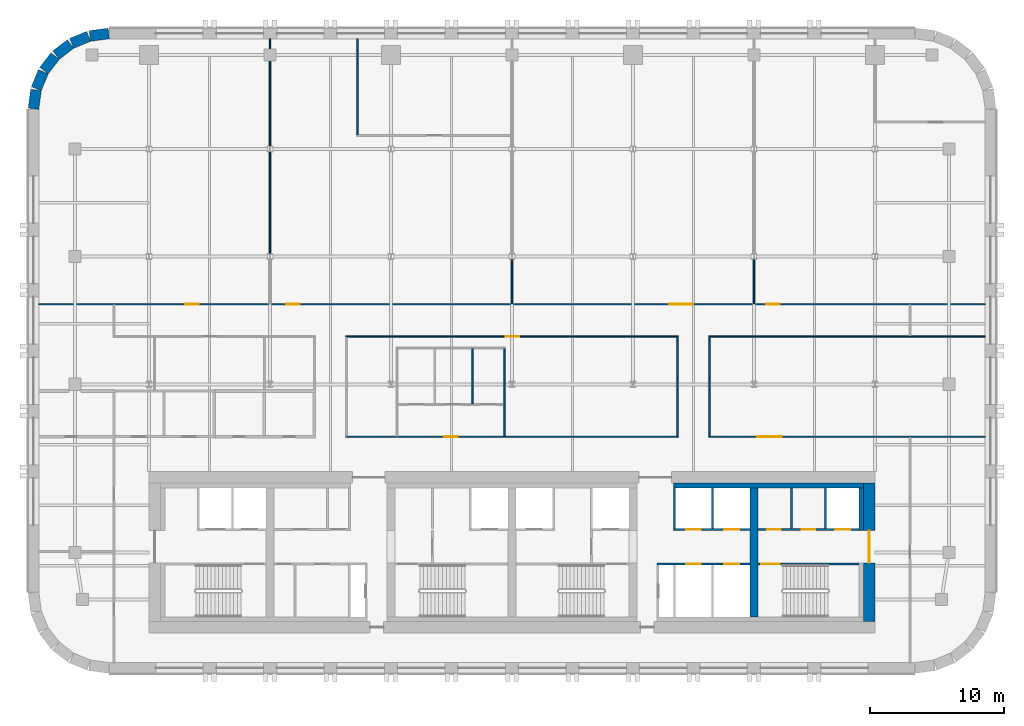
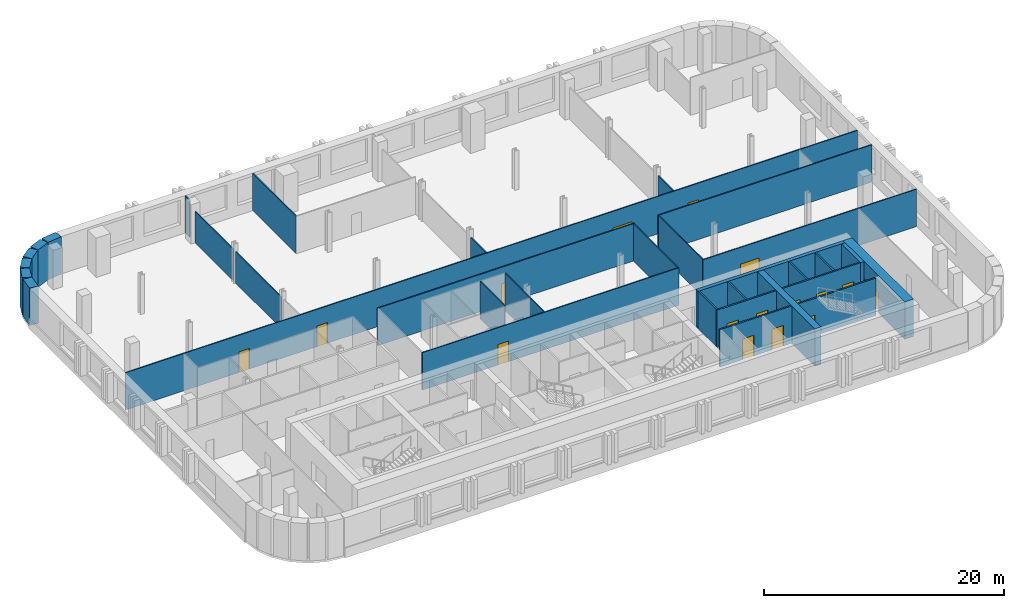
# One storey, part 6 of 10: 33 walls, 16 doors, 16 openings.
"""IFC4 building model written with IfcOpenShell, lengths in metres."""

from ifc_helpers import new_model, si_unit, direction, frame, frame_2d, origin, place, context, subcontext, project, spatial, rectangle, extrude, material, layer, layer_set, type_object, element, fill, save


model = new_model("IFC4")

# Units and contexts
model_context = context("Model", 3, precision=1e-05, world=origin(), true_north=direction((0.0, 1.0)))
body_context = subcontext(model_context, "Body", "Model", "MODEL_VIEW")
ifc_project = project(units=[si_unit("LENGTHUNIT", "METRE"), si_unit("AREAUNIT", "SQUARE_METRE"), si_unit("VOLUMEUNIT", "CUBIC_METRE"), si_unit("PLANEANGLEUNIT", "RADIAN"), si_unit("MASSUNIT", "GRAM", prefix="KILO")], contexts=[model_context])

# Site, building, storey
site_placement = place(None, origin())
site = spatial("IfcSite", under=ifc_project, at=site_placement, CompositionType="ELEMENT")
building_placement = place(site_placement, origin())
building = spatial("IfcBuilding", under=site, at=building_placement, Name="Zellij Exchange Tower", CompositionType="ELEMENT")
storey_placement = place(building_placement, frame((0.0, 0.0, 192.5)))
storey = spatial("IfcBuildingStorey", under=building, at=storey_placement, Name="L44", CompositionType="ELEMENT", Elevation=192.5)

# Walls
ifc_material_1 = material(Name="Concrete C60/75", Category="concrete")
ifc_layer_1 = layer(ifc_material_1, 0.60009765625)
ifc_layer_set_1 = layer_set([ifc_layer_1], Name="Concrete C60/75")
wall_type_1 = type_object("IfcWallType", Name="CORE-CW 600 C60/75", PredefinedType="SHEAR", material=ifc_layer_set_1)
wall_1_placement = place(storey_placement, frame((18.0, -12.800048828125, 0.0), z_axis=(0.0, 0.0, 1.0), x_axis=(0.0, 1.0, 0.0)))
element("IfcWall", 1, at=wall_1_placement, inside=storey, type_object=wall_type_1, Name="Core cross wall x 18 L44", PredefinedType="SHEAR", context=body_context, shape_type="SweptSolid", body=[
    extrude(rectangle(XDim=9.60009765625, YDim=0.60009765625, at=frame_2d((4.800048828125, 0.0))), origin(), (0.0, 0.0, 1.0), 3.800048828125),
])
ifc_material_2 = material(Name="Concrete C30/37", Category="concrete")
ifc_layer_2 = layer(ifc_material_2, 0.35009765625)
ifc_layer_set_2 = layer_set([ifc_layer_2], Name="Concrete C30/37")
wall_type_2 = type_object("IfcWallType", Name="CORE-LW 350 C30/37", PredefinedType="SHEAR", material=ifc_layer_set_2)
wall_2_placement = place(storey_placement, frame((12.0, -3.02490234375, 0.0), z_axis=(0.0, 0.0, 1.0), x_axis=(1.0, 0.0, 0.0)))
element("IfcWall", 2, at=wall_2_placement, inside=storey, type_object=wall_type_2, Name="Core wall lining front.2 L44", PredefinedType="SHEAR", context=body_context, shape_type="SweptSolid", body=[
    extrude(rectangle(XDim=14.14990234375, YDim=0.35009765625, at=frame_2d((7.074951171875, 0.0))), origin(), (0.0, 0.0, 1.0), 3.800048828125),
])
wall_3_placement = place(storey_placement, frame((25.97509765625, -6.375, 0.0), z_axis=(0.0, 0.0, 1.0), x_axis=(0.0, 1.0, 0.0)))
element("IfcWall", 3, at=wall_3_placement, inside=storey, type_object=wall_type_2, Name="Core wall lining end e.1 L44", PredefinedType="SHEAR", context=body_context, shape_type="SweptSolid", body=[
    extrude(rectangle(XDim=3.175048828125, YDim=0.35009765625, at=frame_2d((1.58740234375, 0.0))), origin(), (0.0, 0.0, 1.0), 3.800048828125),
])
ifc_material_3 = material(Name="Gypsum board partition")
ifc_layer_3 = layer(ifc_material_3, 0.14990234375)
ifc_layer_set_3 = layer_set([ifc_layer_3], Name="Gypsum board partition")
wall_type_3 = type_object("IfcWallType", Name="CORE-PW 150 Lift lobby wall", PredefinedType="PARTITIONING", material=ifc_layer_set_3)
wall_4_placement = place(storey_placement, frame((20.77490234375, -6.22509765625, 0.0), z_axis=(0.0, 0.0, 1.0), x_axis=(0.0, 1.0, 0.0)))
element("IfcWall", 4, at=wall_4_placement, inside=storey, type_object=wall_type_3, Name="Lift lobby wall L44", PredefinedType="PARTITIONING", context=body_context, shape_type="SweptSolid", body=[
    extrude(rectangle(XDim=3.025146484375, YDim=0.14990234375, at=frame_2d((1.5126953125, 0.0))), origin(), (0.0, 0.0, 1.0), 3.800048828125),
])
ifc_material_4 = material(Name="Gypsum shaft wall system")
ifc_layer_4 = layer(ifc_material_4, 0.14990234375)
ifc_layer_set_4 = layer_set([ifc_layer_4], Name="Gypsum shaft wall system")
wall_type_4 = type_object("IfcWallType", Name="CORE-PW 150 Lift shaft wall", PredefinedType="PARTITIONING", material=ifc_layer_set_4)
for number, where, z_axis, x_axis, name in (
    (5, (12.074951171875, -6.22509765625, 0.0), (0.0, 0.0, 1.0), (0.0, 1.0, 0.0), "Lift shaft wall L44"),
    (6, (14.925048828125, -6.22509765625, 0.0), (0.0, 0.0, 1.0), (0.0, 1.0, 0.0), "Lift shaft wall L44"),
    (7, (23.324951171875, -6.22509765625, 0.0), (0.0, 0.0, 1.0), (0.0, 1.0, 0.0), "Lift shaft wall L44"),
):
    element("IfcWall", number, at=place(storey_placement, frame(where, z_axis=z_axis, x_axis=x_axis)), inside=storey, type_object=wall_type_4, Name=name, PredefinedType="PARTITIONING", context=body_context, shape_type="SweptSolid", body=[
        extrude(rectangle(XDim=3.025146484375, YDim=0.14990234375, at=frame_2d((1.5126953125, 0.0))), origin(), (0.0, 0.0, 1.0), 3.800048828125),
    ])

# Wall, openings, doors
wall_5_placement = place(storey_placement, frame((12.0, -6.300048828125, 0.0), z_axis=(0.0, 0.0, 1.0), x_axis=(1.0, 0.0, 0.0)))
wall_5 = element("IfcWall", 8, at=wall_5_placement, inside=storey, type_object=wall_type_4, Name="Lift shaft wall L44", PredefinedType="PARTITIONING", context=body_context, shape_type="SweptSolid", body=[
    extrude(rectangle(XDim=5.699951171875, YDim=0.14990234375, at=frame_2d((2.85009765625, 0.0))), origin(), (0.0, 0.0, 1.0), 3.800048828125),
])
opening_1_placement = place(wall_5_placement, frame((0.949951171875, 0.0, 0.0)))
opening_1 = element("IfcOpeningElement", 9, at=opening_1_placement, cuts=wall_5, Name="Opening CA-23.23", PredefinedType="OPENING", context=body_context, shape_type="SweptSolid", body=[
    extrude(rectangle(XDim=1.10009765625, YDim=2.10009765625, at=frame_2d((0.550048828125, 1.050048828125))), frame((0.0, 0.0869140625, 0.0), z_axis=(0.0, -1.0, 0.0), x_axis=(1.0, 0.0, 0.0)), (0.0, 0.0, 1.0), 0.173828125),
])
opening_2_placement = place(wall_5_placement, frame((3.800048828125, 0.0, 0.0)))
opening_2 = element("IfcOpeningElement", 10, at=opening_2_placement, cuts=wall_5, Name="Opening CA-23.25", PredefinedType="OPENING", context=body_context, shape_type="SweptSolid", body=[
    extrude(rectangle(XDim=1.10009765625, YDim=2.10009765625, at=frame_2d((0.550048828125, 1.050048828125))), frame((0.0, 0.0869140625, 0.0), z_axis=(0.0, -1.0, 0.0), x_axis=(1.0, 0.0, 0.0)), (0.0, 0.0, 1.0), 0.173828125),
])
ifc_material_5 = material(Name="Hollow metal fire door")
door_type_1 = type_object("IfcDoorType", Name="CORE-D LD Lift landing door 1100x2100 1.5 HR", OperationType="NOTDEFINED", PredefinedType="DOOR", material=ifc_material_5)
door_1_placement = place(opening_1_placement, origin())
door_1 = element("IfcDoor", 11, at=door_1_placement, inside=storey, type_object=door_type_1, Name="Lift landing door CA-23.23", OperationType="SLIDING_TO_LEFT", OverallHeight=2.10009765625, OverallWidth=1.10009765625, PredefinedType="DOOR", context=body_context, shape_type="SweptSolid", body=[
    extrude(rectangle(XDim=1.10009765625, YDim=2.10009765625, at=frame_2d((0.550048828125, 1.050048828125))), frame((0.0, 0.02490234375, 0.0), z_axis=(0.0, -1.0, 0.0), x_axis=(1.0, 0.0, 0.0)), (0.0, 0.0, 1.0), 0.050048828125),
])
fill(opening_1, door_1)
door_2_placement = place(opening_2_placement, origin())
door_2 = element("IfcDoor", 12, at=door_2_placement, inside=storey, type_object=door_type_1, Name="Lift landing door CA-23.25", OperationType="SLIDING_TO_LEFT", OverallHeight=2.10009765625, OverallWidth=1.10009765625, PredefinedType="DOOR", context=body_context, shape_type="SweptSolid", body=[
    extrude(rectangle(XDim=1.10009765625, YDim=2.10009765625, at=frame_2d((0.550048828125, 1.050048828125))), frame((0.0, 0.02490234375, 0.0), z_axis=(0.0, -1.0, 0.0), x_axis=(1.0, 0.0, 0.0)), (0.0, 0.0, 1.0), 0.050048828125),
])
fill(opening_2, door_2)

wall_6_placement = place(storey_placement, frame((18.300048828125, -6.300048828125, 0.0), z_axis=(0.0, 0.0, 1.0), x_axis=(1.0, 0.0, 0.0)))
wall_6 = element("IfcWall", 13, at=wall_6_placement, inside=storey, type_object=wall_type_4, Name="Lift shaft wall L44", PredefinedType="PARTITIONING", context=body_context, shape_type="SweptSolid", body=[
    extrude(rectangle(XDim=7.5, YDim=0.14990234375, at=frame_2d((3.75, 0.0))), origin(), (0.0, 0.0, 1.0), 3.800048828125),
])
opening_3_placement = place(wall_6_placement, frame((0.699951171875, 0.0, 0.0)))
opening_3 = element("IfcOpeningElement", 14, at=opening_3_placement, cuts=wall_6, Name="Opening CA-23.27", PredefinedType="OPENING", context=body_context, shape_type="SweptSolid", body=[
    extrude(rectangle(XDim=1.0, YDim=2.10009765625, at=frame_2d((0.5, 1.050048828125))), frame((0.0, 0.0869140625, 0.0), z_axis=(0.0, -1.0, 0.0), x_axis=(1.0, 0.0, 0.0)), (0.0, 0.0, 1.0), 0.173828125),
])
opening_4_placement = place(wall_6_placement, frame((3.25, 0.0, 0.0)))
opening_4 = element("IfcOpeningElement", 15, at=opening_4_placement, cuts=wall_6, Name="Opening CA-23.28", PredefinedType="OPENING", context=body_context, shape_type="SweptSolid", body=[
    extrude(rectangle(XDim=1.0, YDim=2.10009765625, at=frame_2d((0.5, 1.050048828125))), frame((0.0, 0.0869140625, 0.0), z_axis=(0.0, -1.0, 0.0), x_axis=(1.0, 0.0, 0.0)), (0.0, 0.0, 1.0), 0.173828125),
])
opening_5_placement = place(wall_6_placement, frame((5.75, 0.0, 0.0)))
opening_5 = element("IfcOpeningElement", 16, at=opening_5_placement, cuts=wall_6, Name="Opening CA-23.29", PredefinedType="OPENING", context=body_context, shape_type="SweptSolid", body=[
    extrude(rectangle(XDim=1.10009765625, YDim=2.10009765625, at=frame_2d((0.550048828125, 1.050048828125))), frame((0.0, 0.0869140625, 0.0), z_axis=(0.0, -1.0, 0.0), x_axis=(1.0, 0.0, 0.0)), (0.0, 0.0, 1.0), 0.173828125),
])
door_type_2 = type_object("IfcDoorType", Name="CORE-D CD Core room door 1000x2100 1 HR", OperationType="NOTDEFINED", PredefinedType="DOOR", material=ifc_material_5)
door_3_placement = place(opening_3_placement, origin())
door_3 = element("IfcDoor", 17, at=door_3_placement, inside=storey, type_object=door_type_2, Name="Core room door CA-23.27", OperationType="SINGLE_SWING_LEFT", OverallHeight=2.10009765625, OverallWidth=1.0, PredefinedType="DOOR", context=body_context, shape_type="SweptSolid", body=[
    extrude(rectangle(XDim=1.0, YDim=2.10009765625, at=frame_2d((0.5, 1.050048828125))), frame((0.0, 0.02490234375, 0.0), z_axis=(0.0, -1.0, 0.0), x_axis=(1.0, 0.0, 0.0)), (0.0, 0.0, 1.0), 0.050048828125),
])
fill(opening_3, door_3)
door_4_placement = place(opening_4_placement, origin())
door_4 = element("IfcDoor", 18, at=door_4_placement, inside=storey, type_object=door_type_2, Name="Core room door CA-23.28", OperationType="SINGLE_SWING_LEFT", OverallHeight=2.10009765625, OverallWidth=1.0, PredefinedType="DOOR", context=body_context, shape_type="SweptSolid", body=[
    extrude(rectangle(XDim=1.0, YDim=2.10009765625, at=frame_2d((0.5, 1.050048828125))), frame((0.0, 0.02490234375, 0.0), z_axis=(0.0, -1.0, 0.0), x_axis=(1.0, 0.0, 0.0)), (0.0, 0.0, 1.0), 0.050048828125),
])
fill(opening_4, door_4)
door_5_placement = place(opening_5_placement, origin())
door_5 = element("IfcDoor", 19, at=door_5_placement, inside=storey, type_object=door_type_1, Name="Lift landing door CA-23.29", OperationType="SLIDING_TO_LEFT", OverallHeight=2.10009765625, OverallWidth=1.10009765625, PredefinedType="DOOR", context=body_context, shape_type="SweptSolid", body=[
    extrude(rectangle(XDim=1.10009765625, YDim=2.10009765625, at=frame_2d((0.550048828125, 1.050048828125))), frame((0.0, 0.02490234375, 0.0), z_axis=(0.0, -1.0, 0.0), x_axis=(1.0, 0.0, 0.0)), (0.0, 0.0, 1.0), 0.050048828125),
])
fill(opening_5, door_5)

wall_7_placement = place(storey_placement, frame((10.800048828125, -8.875, 0.0), z_axis=(0.0, 0.0, 1.0), x_axis=(1.0, 0.0, 0.0)))
wall_7 = element("IfcWall", 20, at=wall_7_placement, inside=storey, type_object=wall_type_4, Name="Lift shaft wall L44", PredefinedType="PARTITIONING", context=body_context, shape_type="SweptSolid", body=[
    extrude(rectangle(XDim=6.89990234375, YDim=0.14990234375, at=frame_2d((3.449951171875, 0.0))), origin(), (0.0, 0.0, 1.0), 3.800048828125),
])
opening_6_placement = place(wall_7_placement, frame((2.14990234375, 0.0, 0.0)))
opening_6 = element("IfcOpeningElement", 21, at=opening_6_placement, cuts=wall_7, Name="Opening CA-23.22", PredefinedType="OPENING", context=body_context, shape_type="SweptSolid", body=[
    extrude(rectangle(XDim=1.10009765625, YDim=2.10009765625, at=frame_2d((0.550048828125, 1.050048828125))), frame((0.0, 0.0869140625, 0.0), z_axis=(0.0, -1.0, 0.0), x_axis=(1.0, 0.0, 0.0)), (0.0, 0.0, 1.0), 0.173828125),
])
opening_7_placement = place(wall_7_placement, frame((5.0, 0.0, 0.0)))
opening_7 = element("IfcOpeningElement", 22, at=opening_7_placement, cuts=wall_7, Name="Opening CA-23.24", PredefinedType="OPENING", context=body_context, shape_type="SweptSolid", body=[
    extrude(rectangle(XDim=1.10009765625, YDim=2.10009765625, at=frame_2d((0.550048828125, 1.050048828125))), frame((0.0, 0.0869140625, 0.0), z_axis=(0.0, -1.0, 0.0), x_axis=(1.0, 0.0, 0.0)), (0.0, 0.0, 1.0), 0.173828125),
])
door_6_placement = place(opening_6_placement, origin())
door_6 = element("IfcDoor", 23, at=door_6_placement, inside=storey, type_object=door_type_1, Name="Lift landing door CA-23.22", OperationType="SLIDING_TO_RIGHT", OverallHeight=2.10009765625, OverallWidth=1.10009765625, PredefinedType="DOOR", context=body_context, shape_type="SweptSolid", body=[
    extrude(rectangle(XDim=1.10009765625, YDim=2.10009765625, at=frame_2d((0.550048828125, 1.050048828125))), frame((0.0, 0.02490234375, 0.0), z_axis=(0.0, -1.0, 0.0), x_axis=(1.0, 0.0, 0.0)), (0.0, 0.0, 1.0), 0.050048828125),
])
fill(opening_6, door_6)
door_7_placement = place(opening_7_placement, origin())
door_7 = element("IfcDoor", 24, at=door_7_placement, inside=storey, type_object=door_type_1, Name="Lift landing door CA-23.24", OperationType="SLIDING_TO_RIGHT", OverallHeight=2.10009765625, OverallWidth=1.10009765625, PredefinedType="DOOR", context=body_context, shape_type="SweptSolid", body=[
    extrude(rectangle(XDim=1.10009765625, YDim=2.10009765625, at=frame_2d((0.550048828125, 1.050048828125))), frame((0.0, 0.02490234375, 0.0), z_axis=(0.0, -1.0, 0.0), x_axis=(1.0, 0.0, 0.0)), (0.0, 0.0, 1.0), 0.050048828125),
])
fill(opening_7, door_7)

# Wall, opening, door
ifc_layer_5 = layer(ifc_material_1, 0.85009765625)
ifc_layer_set_5 = layer_set([ifc_layer_5], Name="Concrete C60/75")
wall_type_5 = type_object("IfcWallType", Name="CORE-SW 850 C60/75", PredefinedType="SHEAR", material=ifc_layer_set_5)
wall_8_placement = place(storey_placement, frame((26.574951171875, -13.14990234375, 0.0), z_axis=(0.0, 0.0, 1.0), x_axis=(0.0, 1.0, 0.0)))
wall_8 = element("IfcWall", 25, at=wall_8_placement, inside=storey, type_object=wall_type_5, Name="Core shear wall end e L44", PredefinedType="SHEAR", context=body_context, shape_type="SweptSolid", body=[
    extrude(rectangle(XDim=10.2998046875, YDim=0.85009765625, at=frame_2d((5.14990234375, 0.0))), origin(), (0.0, 0.0, 1.0), 3.800048828125),
])
opening_8_placement = place(wall_8_placement, frame((4.362060546875, 0.0, 0.0)))
opening_8 = element("IfcOpeningElement", 26, at=opening_8_placement, cuts=wall_8, Name="Opening CA-23.30", PredefinedType="OPENING", context=body_context, shape_type="SweptSolid", body=[
    extrude(rectangle(XDim=2.39990234375, YDim=2.10009765625, at=frame_2d((1.199951171875, 1.050048828125))), frame((0.0, 0.43701171875, 0.0), z_axis=(0.0, -1.0, 0.0), x_axis=(1.0, 0.0, 0.0)), (0.0, 0.0, 1.0), 0.8740234375),
])
door_type_3 = type_object("IfcDoorType", Name="CORE-D CE Core entrance door 2400x2100 20 MIN", OperationType="NOTDEFINED", PredefinedType="DOOR", material=ifc_material_5)
door_8_placement = place(opening_8_placement, origin())
door_8 = element("IfcDoor", 27, at=door_8_placement, inside=storey, type_object=door_type_3, Name="Core entrance door CA-23.30", OperationType="DOUBLE_DOOR_SINGLE_SWING", OverallHeight=2.10009765625, OverallWidth=2.39990234375, PredefinedType="DOOR", context=body_context, shape_type="SweptSolid", body=[
    extrude(rectangle(XDim=2.39990234375, YDim=2.10009765625, at=frame_2d((1.199951171875, 1.050048828125))), frame((0.0, 0.02490234375, 0.0), z_axis=(0.0, -1.0, 0.0), x_axis=(1.0, 0.0, 0.0)), (0.0, 0.0, 1.0), 0.050048828125),
])
fill(opening_8, door_8)

ifc_layer_6 = layer(ifc_material_1, 0.14990234375)
ifc_layer_set_6 = layer_set([ifc_layer_6], Name="Concrete C60/75")
wall_type_6 = type_object("IfcWallType", Name="CORE-SWS 150 C60/75", PredefinedType="SHEAR", material=ifc_layer_set_6)
wall_9_placement = place(storey_placement, frame((18.300048828125, -8.875, 0.0), z_axis=(0.0, 0.0, 1.0), x_axis=(1.0, 0.0, 0.0)))
wall_9 = element("IfcWall", 28, at=wall_9_placement, inside=storey, type_object=wall_type_6, Name="Stair enclosure wall L44", PredefinedType="SHEAR", context=body_context, shape_type="SweptSolid", body=[
    extrude(rectangle(XDim=7.5, YDim=0.14990234375, at=frame_2d((3.75, 0.0))), origin(), (0.0, 0.0, 1.0), 3.800048828125),
])
opening_9_placement = place(wall_9_placement, frame((0.22509765625, 0.0, 0.0)))
opening_9 = element("IfcOpeningElement", 29, at=opening_9_placement, cuts=wall_9, Name="Opening CA-23.26", PredefinedType="OPENING", context=body_context, shape_type="SweptSolid", body=[
    extrude(rectangle(XDim=1.39990234375, YDim=2.10009765625, at=frame_2d((0.699951171875, 1.050048828125))), frame((0.0, 0.0869140625, 0.0), z_axis=(0.0, -1.0, 0.0), x_axis=(1.0, 0.0, 0.0)), (0.0, 0.0, 1.0), 0.173828125),
])
door_type_4 = type_object("IfcDoorType", Name="CORE-D SD Stair door 1400x2100 1.5 HR", OperationType="NOTDEFINED", PredefinedType="DOOR", material=ifc_material_5)
door_9_placement = place(opening_9_placement, origin())
door_9 = element("IfcDoor", 30, at=door_9_placement, inside=storey, type_object=door_type_4, Name="Stair door CA-23.26", OperationType="DOUBLE_DOOR_SINGLE_SWING", OverallHeight=2.10009765625, OverallWidth=1.39990234375, PredefinedType="DOOR", context=body_context, shape_type="SweptSolid", body=[
    extrude(rectangle(XDim=1.39990234375, YDim=2.10009765625, at=frame_2d((0.699951171875, 1.050048828125))), frame((0.0, 0.02490234375, 0.0), z_axis=(0.0, -1.0, 0.0), x_axis=(1.0, 0.0, 0.0)), (0.0, 0.0, 1.0), 0.050048828125),
])
fill(opening_9, door_9)

# Walls
ifc_material_6 = material(Name="Precast concrete C40/50", Category="concrete")
ifc_layer_7 = layer(ifc_material_6, 0.800048828125)
ifc_layer_set_7 = layer_set([ifc_layer_7], Name="Precast concrete C40/50")
wall_type_7 = type_object("IfcWallType", Name="ENV-EW1 Precast stone-piered wall 800", PredefinedType="SOLIDWALL", material=ifc_layer_set_7)
wall_10_placement = place(storey_placement, frame((-29.999755859375, 30.5966796875, 0.0), z_axis=(0.0, 0.0, 1.0), x_axis=(-0.99144603414, -0.130517283865, 0.0)))
element("IfcWall", 31, at=wall_10_placement, inside=storey, type_object=wall_type_7, Name="fac.L44.15", PredefinedType="SOLIDWALL", context=body_context, shape_type="SweptSolid", body=[
    extrude(rectangle(XDim=1.408447265625, YDim=0.800048828125, at=frame_2d((0.7041015625, 0.0))), origin(), (0.0, 0.0, 1.0), 3.800048828125),
])
wall_11_placement = place(storey_placement, frame((-31.497314453125, 30.3857421875, 0.0), z_axis=(0.0, 0.0, 1.0), x_axis=(-0.923847774587, -0.38276009378, 0.0)))
element("IfcWall", 32, at=wall_11_placement, inside=storey, type_object=wall_type_7, Name="fac.L44.16", PredefinedType="SOLIDWALL", context=body_context, shape_type="SweptSolid", body=[
    extrude(rectangle(XDim=1.35546875, YDim=0.800048828125, at=frame_2d((0.677734375, 0.0))), origin(), (0.0, 0.0, 1.0), 3.800048828125),
])
for number, where, z_axis, x_axis, name in (
    (33, (-32.840087890625, 29.814697265625, 0.0), (0.0, 0.0, 1.0), (-0.793272915452, -0.608866226366, 0.0), "fac.L44.17"),
    (34, (-33.9892578125, 28.91552734375, 0.0), (0.0, 0.0, 1.0), (-0.608866226366, -0.793272915452, 0.0), "fac.L44.18"),
):
    element("IfcWall", number, at=place(storey_placement, frame(where, z_axis=z_axis, x_axis=x_axis)), inside=storey, type_object=wall_type_7, Name=name, PredefinedType="SOLIDWALL", context=body_context, shape_type="SweptSolid", body=[
        extrude(rectangle(XDim=1.355712890625, YDim=0.800048828125, at=frame_2d((0.677734375, 0.0))), origin(), (0.0, 0.0, 1.0), 3.800048828125),
    ])
wall_12_placement = place(storey_placement, frame((-34.866943359375, 27.74951171875, 0.0), z_axis=(0.0, 0.0, 1.0), x_axis=(-0.38276009378, -0.923847774587, 0.0)))
element("IfcWall", 35, at=wall_12_placement, inside=storey, type_object=wall_type_7, Name="fac.L44.19", PredefinedType="SOLIDWALL", context=body_context, shape_type="SweptSolid", body=[
    extrude(rectangle(XDim=1.35546875, YDim=0.800048828125, at=frame_2d((0.677734375, 0.0))), origin(), (0.0, 0.0, 1.0), 3.800048828125),
])
wall_13_placement = place(storey_placement, frame((-35.412841796875, 26.396240234375, 0.0), z_axis=(0.0, 0.0, 1.0), x_axis=(-0.130517283865, -0.99144603414, 0.0)))
element("IfcWall", 36, at=wall_13_placement, inside=storey, type_object=wall_type_7, Name="fac.L44.20", PredefinedType="SOLIDWALL", context=body_context, shape_type="SweptSolid", body=[
    extrude(rectangle(XDim=1.408447265625, YDim=0.800048828125, at=frame_2d((0.7041015625, 0.0))), origin(), (0.0, 0.0, 1.0), 3.800048828125),
])

# Wall, opening, door
ifc_material_7 = material(Name="Gypsum board partition on steel studs", Category="steel")
ifc_layer_8 = layer(ifc_material_7, 0.10009765625)
ifc_layer_set_8 = layer_set([ifc_layer_8], Name="Gypsum board partition on steel studs")
wall_type_8 = type_object("IfcWallType", Name="FIT-PARTITION-100", PredefinedType="PARTITIONING", material=ifc_layer_set_8)
wall_14_placement = place(storey_placement, frame((-12.35009765625, 0.60009765625, 0.0), z_axis=(0.0, 0.0, 1.0), x_axis=(1.0, 0.0, 0.0)))
wall_14 = element("IfcWall", 37, at=wall_14_placement, inside=storey, type_object=wall_type_8, Name="FIT-PARTITION-100 013", PredefinedType="PARTITIONING", context=body_context, shape_type="SweptSolid", body=[
    extrude(rectangle(XDim=24.7001953125, YDim=0.10009765625, at=frame_2d((12.35009765625, 0.0))), origin(), (0.0, 0.0, 1.0), 3.800048828125),
])
opening_10_placement = place(wall_14_placement, frame((7.300048828125, 0.0, 0.0)))
opening_10 = element("IfcOpeningElement", 38, at=opening_10_placement, cuts=wall_14, Name="Opening O3C.09", PredefinedType="OPENING", context=body_context, shape_type="SweptSolid", body=[
    extrude(rectangle(XDim=1.0, YDim=2.10009765625, at=frame_2d((0.5, 1.050048828125))), frame((0.0, 0.06201171875, 0.0), z_axis=(0.0, -1.0, 0.0), x_axis=(1.0, 0.0, 0.0)), (0.0, 0.0, 1.0), 0.1240234375),
])
ifc_material_8 = material(Name="Timber door set", Category="wood")
door_type_5 = type_object("IfcDoorType", Name="FIT-D2-WIDE-1000X2100", OperationType="SINGLE_SWING_LEFT", PredefinedType="DOOR", material=ifc_material_8)
door_10_placement = place(opening_10_placement, origin())
door_10 = element("IfcDoor", 39, at=door_10_placement, inside=storey, type_object=door_type_5, Name="Door O3C.09", OperationType="SINGLE_SWING_LEFT", OverallHeight=2.10009765625, OverallWidth=1.0, PredefinedType="DOOR", context=body_context, shape_type="SweptSolid", body=[
    extrude(rectangle(XDim=1.0, YDim=2.10009765625, at=frame_2d((0.5, 1.050048828125))), frame((0.0, 0.02490234375, 0.0), z_axis=(0.0, -1.0, 0.0), x_axis=(1.0, 0.0, 0.0)), (0.0, 0.0, 1.0), 0.050048828125),
])
fill(opening_10, door_10)

# Walls
wall_15_placement = place(storey_placement, frame((-0.550048828125, 0.64990234375, 0.0), z_axis=(0.0, 0.0, 1.0), x_axis=(0.0, 1.0, 0.0)))
element("IfcWall", 40, at=wall_15_placement, inside=storey, type_object=wall_type_8, Name="FIT-PARTITION-100 016", PredefinedType="PARTITIONING", context=body_context, shape_type="SweptSolid", body=[
    extrude(rectangle(XDim=6.5, YDim=0.10009765625, at=frame_2d((3.25, 0.0))), origin(), (0.0, 0.0, 1.0), 3.800048828125),
])
wall_16_placement = place(storey_placement, frame((12.300048828125, 0.64990234375, 0.0), z_axis=(0.0, 0.0, 1.0), x_axis=(0.0, 1.0, 0.0)))
element("IfcWall", 41, at=wall_16_placement, inside=storey, type_object=wall_type_8, Name="FIT-PARTITION-100 017", PredefinedType="PARTITIONING", context=body_context, shape_type="SweptSolid", body=[
    extrude(rectangle(XDim=7.35009765625, YDim=0.10009765625, at=frame_2d((3.675048828125, 0.0))), origin(), (0.0, 0.0, 1.0), 3.800048828125),
])

# Wall, opening, door
wall_17_placement = place(storey_placement, frame((14.64990234375, 0.60009765625, 0.0), z_axis=(0.0, 0.0, 1.0), x_axis=(1.0, 0.0, 0.0)))
wall_17 = element("IfcWall", 42, at=wall_17_placement, inside=storey, type_object=wall_type_8, Name="FIT-PARTITION-100 018", PredefinedType="PARTITIONING", context=body_context, shape_type="SweptSolid", body=[
    extrude(rectangle(XDim=20.550048828125, YDim=0.10009765625, at=frame_2d((10.27490234375, 0.0))), origin(), (0.0, 0.0, 1.0), 3.800048828125),
])
opening_11_placement = place(wall_17_placement, frame((3.60009765625, 0.0, 0.0)))
opening_11 = element("IfcOpeningElement", 43, at=opening_11_placement, cuts=wall_17, Name="Opening O3C.10", PredefinedType="OPENING", context=body_context, shape_type="SweptSolid", body=[
    extrude(rectangle(XDim=1.800048828125, YDim=2.10009765625, at=frame_2d((0.89990234375, 1.050048828125))), frame((0.0, 0.06201171875, 0.0), z_axis=(0.0, -1.0, 0.0), x_axis=(1.0, 0.0, 0.0)), (0.0, 0.0, 1.0), 0.1240234375),
])
door_type_6 = type_object("IfcDoorType", Name="FIT-D3-DOUBLE-1800X2100", OperationType="DOUBLE_DOOR_SINGLE_SWING", PredefinedType="DOOR", material=ifc_material_8)
door_11_placement = place(opening_11_placement, origin())
door_11 = element("IfcDoor", 44, at=door_11_placement, inside=storey, type_object=door_type_6, Name="Door O3C.10", OperationType="DOUBLE_DOOR_SINGLE_SWING", OverallHeight=2.10009765625, OverallWidth=1.800048828125, PredefinedType="DOOR", context=body_context, shape_type="SweptSolid", body=[
    extrude(rectangle(XDim=1.800048828125, YDim=2.10009765625, at=frame_2d((0.89990234375, 1.050048828125))), frame((0.0, 0.02490234375, 0.0), z_axis=(0.0, -1.0, 0.0), x_axis=(1.0, 0.0, 0.0)), (0.0, 0.0, 1.0), 0.050048828125),
])
fill(opening_11, door_11)

# Walls
wall_18_placement = place(storey_placement, frame((14.699951171875, 0.64990234375, 0.0), z_axis=(0.0, 0.0, 1.0), x_axis=(0.0, 1.0, 0.0)))
element("IfcWall", 45, at=wall_18_placement, inside=storey, type_object=wall_type_8, Name="FIT-PARTITION-100 019", PredefinedType="PARTITIONING", context=body_context, shape_type="SweptSolid", body=[
    extrude(rectangle(XDim=7.35009765625, YDim=0.10009765625, at=frame_2d((3.675048828125, 0.0))), origin(), (0.0, 0.0, 1.0), 3.800048828125),
])
wall_19_placement = place(storey_placement, frame((-2.949951171875, 3.050048828125, 0.0), z_axis=(0.0, 0.0, 1.0), x_axis=(0.0, 1.0, 0.0)))
element("IfcWall", 46, at=wall_19_placement, inside=storey, type_object=wall_type_8, Name="FIT-PARTITION-100 022", PredefinedType="PARTITIONING", context=body_context, shape_type="SweptSolid", body=[
    extrude(rectangle(XDim=4.099853515625, YDim=0.10009765625, at=frame_2d((2.0498046875, 0.0))), origin(), (0.0, 0.0, 1.0), 3.800048828125),
])

# Wall, opening, door
wall_20_placement = place(storey_placement, frame((-12.35009765625, 8.050048828125, 0.0), z_axis=(0.0, 0.0, 1.0), x_axis=(1.0, 0.0, 0.0)))
wall_20 = element("IfcWall", 47, at=wall_20_placement, inside=storey, type_object=wall_type_8, Name="FIT-PARTITION-100 033", PredefinedType="PARTITIONING", context=body_context, shape_type="SweptSolid", body=[
    extrude(rectangle(XDim=24.7001953125, YDim=0.10009765625, at=frame_2d((12.35009765625, 0.0))), origin(), (0.0, 0.0, 1.0), 3.800048828125),
])
opening_12_placement = place(wall_20_placement, frame((11.89990234375, 0.0, 0.0)))
opening_12 = element("IfcOpeningElement", 48, at=opening_12_placement, cuts=wall_20, Name="Opening O3C.15", PredefinedType="OPENING", context=body_context, shape_type="SweptSolid", body=[
    extrude(rectangle(XDim=1.0, YDim=2.10009765625, at=frame_2d((0.5, 1.050048828125))), frame((0.0, 0.06201171875, 0.0), z_axis=(0.0, -1.0, 0.0), x_axis=(1.0, 0.0, 0.0)), (0.0, 0.0, 1.0), 0.1240234375),
])
door_12_placement = place(opening_12_placement, origin())
door_12 = element("IfcDoor", 49, at=door_12_placement, inside=storey, type_object=door_type_5, Name="Door O3C.15", OperationType="SINGLE_SWING_RIGHT", OverallHeight=2.10009765625, OverallWidth=1.0, PredefinedType="DOOR", context=body_context, shape_type="SweptSolid", body=[
    extrude(rectangle(XDim=1.0, YDim=2.10009765625, at=frame_2d((0.5, 1.050048828125))), frame((0.0, 0.02490234375, 0.0), z_axis=(0.0, -1.0, 0.0), x_axis=(1.0, 0.0, 0.0)), (0.0, 0.0, 1.0), 0.050048828125),
])
fill(opening_12, door_12)

# Wall
wall_21_placement = place(storey_placement, frame((14.64990234375, 8.050048828125, 0.0), z_axis=(0.0, 0.0, 1.0), x_axis=(1.0, 0.0, 0.0)))
element("IfcWall", 50, at=wall_21_placement, inside=storey, type_object=wall_type_8, Name="FIT-PARTITION-100 034", PredefinedType="PARTITIONING", context=body_context, shape_type="SweptSolid", body=[
    extrude(rectangle(XDim=20.550048828125, YDim=0.10009765625, at=frame_2d((10.27490234375, 0.0))), origin(), (0.0, 0.0, 1.0), 3.800048828125),
])

# Wall, openings, doors
wall_22_placement = place(storey_placement, frame((-35.199951171875, 10.449951171875, 0.0), z_axis=(0.0, 0.0, 1.0), x_axis=(1.0, 0.0, 0.0)))
wall_22 = element("IfcWall", 51, at=wall_22_placement, inside=storey, type_object=wall_type_8, Name="FIT-PARTITION-100 036", PredefinedType="PARTITIONING", context=body_context, shape_type="SweptSolid", body=[
    extrude(rectangle(XDim=70.39990234375, YDim=0.10009765625, at=frame_2d((35.199951171875, 0.0))), origin(), (0.0, 0.0, 1.0), 3.800048828125),
])
opening_13_placement = place(wall_22_placement, frame((10.89990234375, 0.0, 0.0)))
opening_13 = element("IfcOpeningElement", 52, at=opening_13_placement, cuts=wall_22, Name="Opening O3C.16", PredefinedType="OPENING", context=body_context, shape_type="SweptSolid", body=[
    extrude(rectangle(XDim=1.0, YDim=2.10009765625, at=frame_2d((0.5, 1.050048828125))), frame((0.0, 0.06201171875, 0.0), z_axis=(0.0, -1.0, 0.0), x_axis=(1.0, 0.0, 0.0)), (0.0, 0.0, 1.0), 0.1240234375),
])
opening_14_placement = place(wall_22_placement, frame((18.39990234375, 0.0, 0.0)))
opening_14 = element("IfcOpeningElement", 53, at=opening_14_placement, cuts=wall_22, Name="Opening O3C.17", PredefinedType="OPENING", context=body_context, shape_type="SweptSolid", body=[
    extrude(rectangle(XDim=1.0, YDim=2.10009765625, at=frame_2d((0.5, 1.050048828125))), frame((0.0, 0.06201171875, 0.0), z_axis=(0.0, -1.0, 0.0), x_axis=(1.0, 0.0, 0.0)), (0.0, 0.0, 1.0), 0.1240234375),
])
opening_15_placement = place(wall_22_placement, frame((46.89990234375, 0.0, 0.0)))
opening_15 = element("IfcOpeningElement", 54, at=opening_15_placement, cuts=wall_22, Name="Opening O3C.18", PredefinedType="OPENING", context=body_context, shape_type="SweptSolid", body=[
    extrude(rectangle(XDim=1.800048828125, YDim=2.10009765625, at=frame_2d((0.89990234375, 1.050048828125))), frame((0.0, 0.06201171875, 0.0), z_axis=(0.0, -1.0, 0.0), x_axis=(1.0, 0.0, 0.0)), (0.0, 0.0, 1.0), 0.1240234375),
])
opening_16_placement = place(wall_22_placement, frame((54.10009765625, 0.0, 0.0)))
opening_16 = element("IfcOpeningElement", 55, at=opening_16_placement, cuts=wall_22, Name="Opening O3C.19", PredefinedType="OPENING", context=body_context, shape_type="SweptSolid", body=[
    extrude(rectangle(XDim=1.0, YDim=2.10009765625, at=frame_2d((0.5, 1.050048828125))), frame((0.0, 0.06201171875, 0.0), z_axis=(0.0, -1.0, 0.0), x_axis=(1.0, 0.0, 0.0)), (0.0, 0.0, 1.0), 0.1240234375),
])
door_13_placement = place(opening_13_placement, origin())
door_13 = element("IfcDoor", 56, at=door_13_placement, inside=storey, type_object=door_type_5, Name="Door O3C.16", OperationType="SINGLE_SWING_RIGHT", OverallHeight=2.10009765625, OverallWidth=1.0, PredefinedType="DOOR", context=body_context, shape_type="SweptSolid", body=[
    extrude(rectangle(XDim=1.0, YDim=2.10009765625, at=frame_2d((0.5, 1.050048828125))), frame((0.0, 0.02490234375, 0.0), z_axis=(0.0, -1.0, 0.0), x_axis=(1.0, 0.0, 0.0)), (0.0, 0.0, 1.0), 0.050048828125),
])
fill(opening_13, door_13)
door_14_placement = place(opening_14_placement, origin())
door_14 = element("IfcDoor", 57, at=door_14_placement, inside=storey, type_object=door_type_5, Name="Door O3C.17", OperationType="SINGLE_SWING_RIGHT", OverallHeight=2.10009765625, OverallWidth=1.0, PredefinedType="DOOR", context=body_context, shape_type="SweptSolid", body=[
    extrude(rectangle(XDim=1.0, YDim=2.10009765625, at=frame_2d((0.5, 1.050048828125))), frame((0.0, 0.02490234375, 0.0), z_axis=(0.0, -1.0, 0.0), x_axis=(1.0, 0.0, 0.0)), (0.0, 0.0, 1.0), 0.050048828125),
])
fill(opening_14, door_14)
door_15_placement = place(opening_16_placement, origin())
door_15 = element("IfcDoor", 58, at=door_15_placement, inside=storey, type_object=door_type_5, Name="Door O3C.19", OperationType="SINGLE_SWING_RIGHT", OverallHeight=2.10009765625, OverallWidth=1.0, PredefinedType="DOOR", context=body_context, shape_type="SweptSolid", body=[
    extrude(rectangle(XDim=1.0, YDim=2.10009765625, at=frame_2d((0.5, 1.050048828125))), frame((0.0, 0.02490234375, 0.0), z_axis=(0.0, -1.0, 0.0), x_axis=(1.0, 0.0, 0.0)), (0.0, 0.0, 1.0), 0.050048828125),
])
fill(opening_16, door_15)
door_16_placement = place(opening_15_placement, origin())
door_16 = element("IfcDoor", 59, at=door_16_placement, inside=storey, type_object=door_type_6, Name="Door O3C.18", OperationType="DOUBLE_DOOR_SINGLE_SWING", OverallHeight=2.10009765625, OverallWidth=1.800048828125, PredefinedType="DOOR", context=body_context, shape_type="SweptSolid", body=[
    extrude(rectangle(XDim=1.800048828125, YDim=2.10009765625, at=frame_2d((0.89990234375, 1.050048828125))), frame((0.0, 0.02490234375, 0.0), z_axis=(0.0, -1.0, 0.0), x_axis=(1.0, 0.0, 0.0)), (0.0, 0.0, 1.0), 0.050048828125),
])
fill(opening_15, door_16)

# Walls
wall_23_placement = place(storey_placement, frame((-18.0, 14.212158203125, 0.0), z_axis=(0.0, 0.0, 1.0), x_axis=(0.0, 1.0, 0.0)))
element("IfcWall", 60, at=wall_23_placement, inside=storey, type_object=wall_type_8, Name="FIT-PARTITION-100 038", PredefinedType="PARTITIONING", context=body_context, shape_type="SweptSolid", body=[
    extrude(rectangle(XDim=7.57568359375, YDim=0.10009765625, at=frame_2d((3.787841796875, 0.0))), origin(), (0.0, 0.0, 1.0), 3.19287109375),
])
wall_24_placement = place(storey_placement, frame((-18.0, 22.212158203125, 0.0), z_axis=(0.0, 0.0, 1.0), x_axis=(0.0, 1.0, 0.0)))
element("IfcWall", 61, at=wall_24_placement, inside=storey, type_object=wall_type_8, Name="FIT-PARTITION-100 039", PredefinedType="PARTITIONING", context=body_context, shape_type="SweptSolid", body=[
    extrude(rectangle(XDim=6.337890625, YDim=0.10009765625, at=frame_2d((3.1689453125, 0.0))), origin(), (0.0, 0.0, 1.0), 3.19287109375),
])
wall_25_placement = place(storey_placement, frame((-18.0, 29.449951171875, 0.0), z_axis=(0.0, 0.0, 1.0), x_axis=(0.0, 1.0, 0.0)))
element("IfcWall", 62, at=wall_25_placement, inside=storey, type_object=wall_type_8, Name="FIT-PARTITION-100 040", PredefinedType="PARTITIONING", context=body_context, shape_type="SweptSolid", body=[
    extrude(rectangle(XDim=0.75, YDim=0.10009765625, at=frame_2d((0.375, 0.0))), origin(), (0.0, 0.0, 1.0), 3.800048828125),
])
for number, where, z_axis, x_axis, name in (
    (63, (0.0, 10.5, 0.0), (0.0, 0.0, 1.0), (0.0, 1.0, 0.0), "FIT-PARTITION-100 041"),
    (64, (18.0, 10.5, 0.0), (0.0, 0.0, 1.0), (0.0, 1.0, 0.0), "FIT-PARTITION-100 045"),
):
    element("IfcWall", number, at=place(storey_placement, frame(where, z_axis=z_axis, x_axis=x_axis)), inside=storey, type_object=wall_type_8, Name=name, PredefinedType="PARTITIONING", context=body_context, shape_type="SweptSolid", body=[
        extrude(rectangle(XDim=3.287841796875, YDim=0.10009765625, at=frame_2d((1.64404296875, 0.0))), origin(), (0.0, 0.0, 1.0), 3.19287109375),
    ])
wall_26_placement = place(storey_placement, frame((-11.5, 23.050048828125, 0.0), z_axis=(0.0, 0.0, 1.0), x_axis=(0.0, 1.0, 0.0)))
element("IfcWall", 65, at=wall_26_placement, inside=storey, type_object=wall_type_8, Name="FIT-PARTITION-100 050", PredefinedType="PARTITIONING", context=body_context, shape_type="SweptSolid", body=[
    extrude(rectangle(XDim=7.14990234375, YDim=0.10009765625, at=frame_2d((3.574951171875, 0.0))), origin(), (0.0, 0.0, 1.0), 3.800048828125),
])

save(model, "model.ifc")
